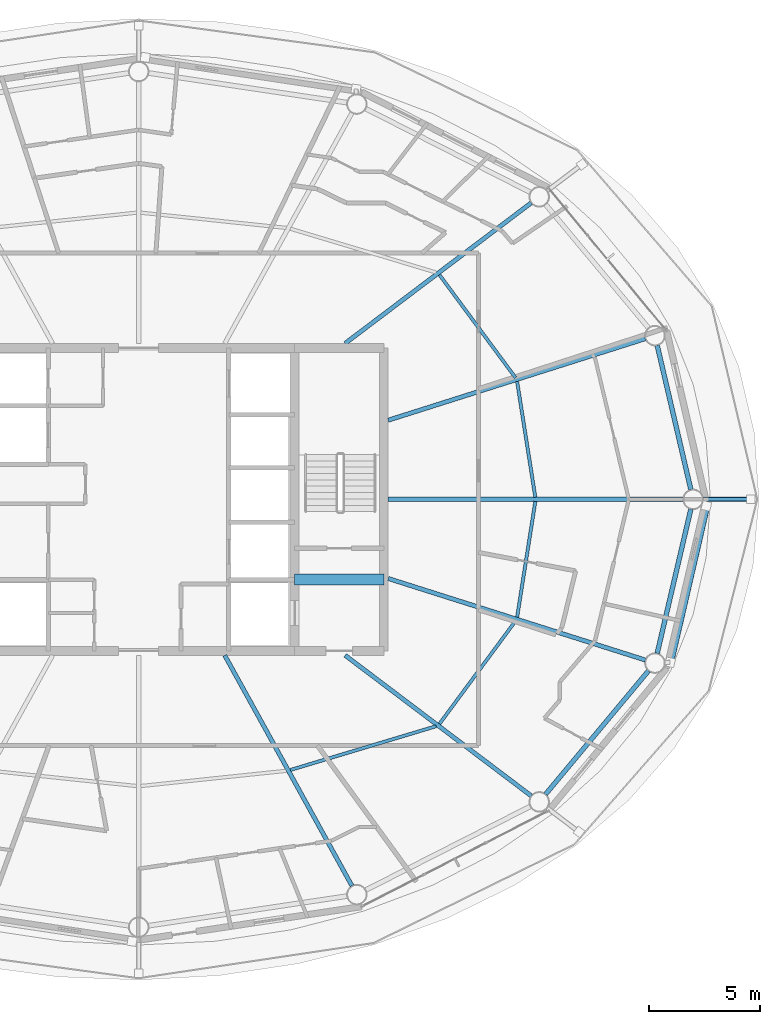
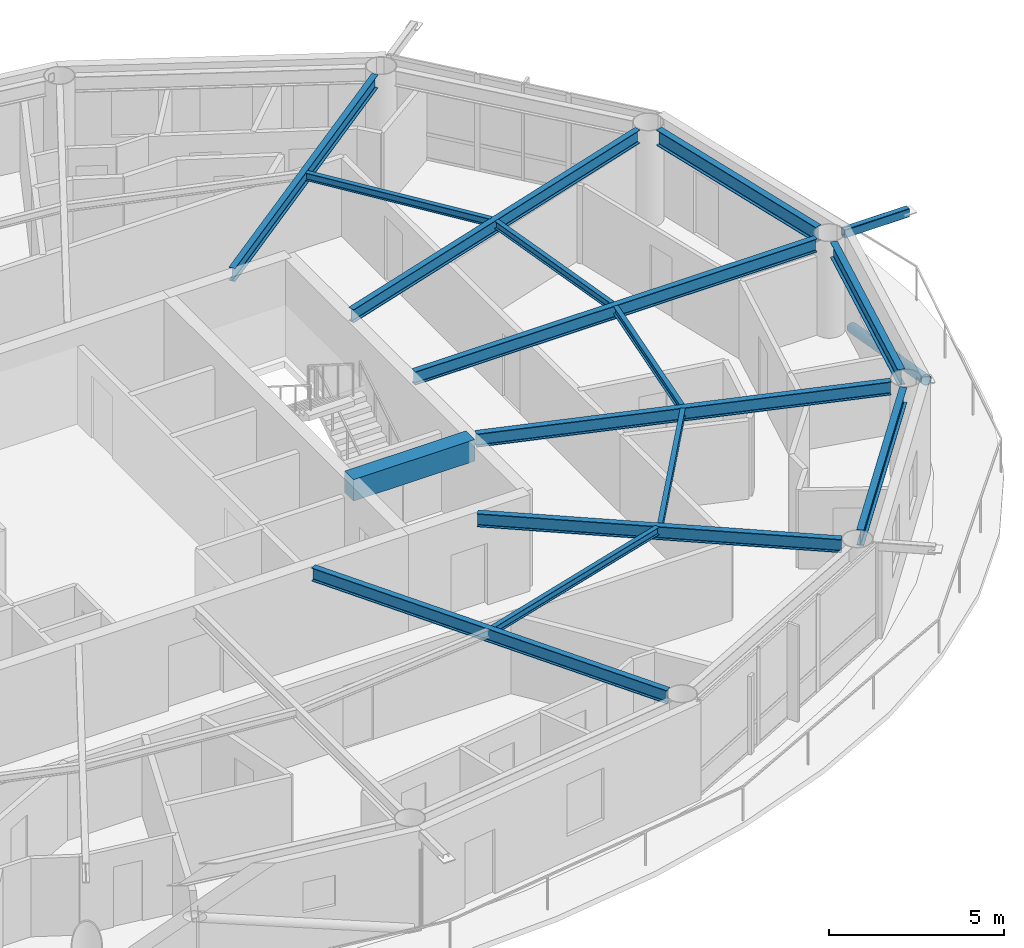
# One storey, part 6 of 23: 15 beams, 2 members.
"""IFC4 building model written with IfcOpenShell, lengths in metres."""

import ifcopenshell
import ifcopenshell.guid

model = None  # the IFC model being written
_history = None  # IfcOwnerHistory: only IFC2X3 demands one
_inside = {}  # id of a spatial element -> (the spatial element, [elements in it])
_under = {}  # id of a project, library or spatial element -> (it, [spatial elements below it])
_declared = {}  # id of a project -> (the project, [libraries it declares])
_typed = {}  # id of a type object -> (the type object, [elements of that type])
_made_of = {}  # id of a material, layer set ... -> (it, [elements and type objects made of it])


def new_model(schema):
    """Start an empty IFC model of exactly this schema.

    Asked for "IFC4X3", IfcOpenShell would pick the latest addendum, in which some entities
    have other attributes; the version numbers below select the first issue.
    IFC2X3 requires an IfcOwnerHistory on every rooted entity: one is made here for all.
    """
    global model, _history
    if schema == "IFC4X3":
        model = ifcopenshell.file(schema_version=(4, 3, 0, 0))
    else:
        model = ifcopenshell.file(schema=schema)
    _inside.clear()
    _under.clear()
    _declared.clear()
    _typed.clear()
    _made_of.clear()
    _history = None
    if model.schema == "IFC2X3":
        org = make("IfcOrganization", Name="unknown")
        user = make(
            "IfcPersonAndOrganization",
            ThePerson=make("IfcPerson", FamilyName="unknown"),
            TheOrganization=org,
        )
        app = make(
            "IfcApplication",
            ApplicationDeveloper=org,
            Version="unknown",
            ApplicationFullName="unknown",
            ApplicationIdentifier="unknown",
        )
        _history = make(
            "IfcOwnerHistory",
            OwningUser=user,
            OwningApplication=app,
            ChangeAction="ADDED",
            CreationDate=0,
        )
    return model


def make(cls, **values):
    """One entity of the class cls with the attributes given. An attribute that is None is left unset."""
    return model.create_entity(
        cls, **{name: value for name, value in values.items() if value is not None}
    )


def rooted(cls, **values):
    """An entity with a GlobalId (a new one), such as an element, a storey or a relation."""
    return make(cls, GlobalId=ifcopenshell.guid.new(), OwnerHistory=_history, **values)


def si_unit(unit_type, name, prefix=None):
    """IfcSIUnit, for example si_unit("LENGTHUNIT", "METRE", prefix="MILLI")."""
    return make("IfcSIUnit", UnitType=unit_type, Prefix=prefix, Name=name)


def assignment(units):
    """IfcUnitAssignment: the units of a project."""
    return None if units is None else make("IfcUnitAssignment", Units=units)


def point(xyz):
    """IfcCartesianPoint."""
    return None if xyz is None else make("IfcCartesianPoint", Coordinates=xyz)


def direction(xyz):
    """IfcDirection."""
    return None if xyz is None else make("IfcDirection", DirectionRatios=xyz)


def frame(location, z_axis=None, x_axis=None):
    """IfcAxis2Placement3D, a coordinate frame: its origin and axes. An axis left out is left unset."""
    return make(
        "IfcAxis2Placement3D",
        Location=point(location),
        Axis=direction(z_axis),
        RefDirection=direction(x_axis),
    )


def frame_2d(location, x_axis=None):
    """IfcAxis2Placement2D, a coordinate frame in the plane: its origin and x axis."""
    return make(
        "IfcAxis2Placement2D", Location=point(location), RefDirection=direction(x_axis)
    )


def origin():
    """The frame at (0, 0, 0) with its axes left unset."""
    return frame((0.0, 0.0, 0.0))


def origin_2d():
    """The frame at (0, 0) in the plane with its x axis left unset."""
    return frame_2d((0.0, 0.0))


def place(relative_to, where):
    """IfcLocalPlacement: puts the frame where relative to a parent placement (None: the world)."""
    return make(
        "IfcLocalPlacement", PlacementRelTo=relative_to, RelativePlacement=where
    )


def context(
    kind, dimensions, precision=None, world=None, true_north=None, identifier=None
):
    """IfcGeometricRepresentationContext, for example the 3D "Model" context."""
    return make(
        "IfcGeometricRepresentationContext",
        ContextIdentifier=identifier,
        ContextType=kind,
        CoordinateSpaceDimension=dimensions,
        Precision=precision,
        WorldCoordinateSystem=world,
        TrueNorth=true_north,
    )


def subcontext(parent, identifier, kind, view, scale=None):
    """IfcGeometricRepresentationSubContext, for example "Body" below "Model"."""
    return make(
        "IfcGeometricRepresentationSubContext",
        ContextIdentifier=identifier,
        ContextType=kind,
        ParentContext=parent,
        TargetScale=scale,
        TargetView=view,
    )


def project(units=None, contexts=None):
    """IfcProject with its units and contexts."""
    return rooted(
        "IfcProject",
        Name="project",
        RepresentationContexts=contexts,
        UnitsInContext=assignment(units),
    )


def spatial(cls, under=None, at=None, **own):
    """A site, building, storey or space (cls), placed at a placement, below another one or the project."""
    s = rooted(cls, ObjectPlacement=at, **own)
    if under is not None:
        _under.setdefault(under.id(), (under, []))[1].append(s)
    return s


def profile(cls, at=None, kind="AREA", **sizes):
    """A parametric profile (cls). Its sizes go by their IFC names, for example OverallWidth=200.0."""
    return make(cls, ProfileType=kind, Position=at, **sizes)


def rectangle(**sizes):
    """IfcRectangleProfileDef."""
    return profile("IfcRectangleProfileDef", **sizes)


def hollow_rectangle(**sizes):
    """IfcRectangleHollowProfileDef."""
    return profile("IfcRectangleHollowProfileDef", **sizes)


def hollow_circle(**sizes):
    """IfcCircleHollowProfileDef."""
    return profile("IfcCircleHollowProfileDef", **sizes)


def i_section(**sizes):
    """IfcIShapeProfileDef."""
    return profile("IfcIShapeProfileDef", **sizes)


def extrude(swept, where, along, depth):
    """IfcExtrudedAreaSolid: the profile swept, set in the frame where, extruded along a direction by depth."""
    return make(
        "IfcExtrudedAreaSolid",
        SweptArea=swept,
        Position=where,
        ExtrudedDirection=direction(along),
        Depth=depth,
    )


def shape(context_of_items, identifier, shape_type, items):
    """IfcShapeRepresentation: the items that make up one representation, for example the "Body"."""
    return make(
        "IfcShapeRepresentation",
        ContextOfItems=context_of_items,
        RepresentationIdentifier=identifier,
        RepresentationType=shape_type,
        Items=items,
    )


def material(Name=None, Category=None):
    """IfcMaterial."""
    return make("IfcMaterial", Name=Name, Category=Category)


def material_profile(
    of_material, cross_section, Name=None, Category=None, Priority=None
):
    """IfcMaterialProfile: a cross section and its material."""
    return make(
        "IfcMaterialProfile",
        Name=Name,
        Material=of_material,
        Profile=cross_section,
        Priority=Priority,
        Category=Category,
    )


def profile_set(profiles, Name=None, composite=None):
    """IfcMaterialProfileSet."""
    return make(
        "IfcMaterialProfileSet",
        Name=Name,
        MaterialProfiles=profiles,
        CompositeProfile=composite,
    )


def made_of(thing, what):
    """Note that an element or type object is made of a material, layer set ...; save() writes the relation."""
    if what is not None:
        _made_of.setdefault(what.id(), (what, []))[1].append(thing)
    return thing


def type_object(cls, material=None, **own):
    """A type object (cls), such as IfcWallType, which elements share."""
    return made_of(rooted(cls, **own), material)


def element(
    cls,
    number,
    at=None,
    inside=None,
    cuts=None,
    type_object=None,
    material=None,
    context=None,
    identifier="Body",
    shape_type=None,
    held_by="IfcProductDefinitionShape",
    body=None,
    shapes=None,
    **own,
):
    """One element of the class cls, such as IfcWall. Its Tag is "e" and its number.

    at: its placement. inside: the storey or other place that contains it. cuts: it is an
    opening in that element (IfcRelVoidsElement). A single representation is given by context,
    identifier, shape_type and body (its items); several are given by shapes. held_by: the class
    of the entity that holds the representations. save() writes the other relations.
    """
    e = rooted(cls, Tag="e%d" % number, ObjectPlacement=at, **own)
    if body is not None:
        shapes = [shape(context, identifier, shape_type, body)]
    if shapes is not None:
        e.Representation = make(held_by, Representations=shapes)
    if inside is not None:
        _inside.setdefault(inside.id(), (inside, []))[1].append(e)
    if cuts is not None:
        rooted(
            "IfcRelVoidsElement", RelatingBuildingElement=cuts, RelatedOpeningElement=e
        )
    if type_object is not None:
        _typed.setdefault(type_object.id(), (type_object, []))[1].append(e)
    return made_of(e, material)


def aggregate(whole, parts):
    """IfcRelAggregates: a whole, such as a stair, and the parts it consists of."""
    return rooted("IfcRelAggregates", RelatingObject=whole, RelatedObjects=parts)


def save(model, path):
    """Write the relations noted so far, then the file.

    IfcRelAggregates (storeys below a building ...), IfcRelContainedInSpatialStructure (elements
    in a storey), IfcRelDefinesByType, IfcRelAssociatesMaterial and IfcRelDeclares: one each for
    every whole, place, type object, material and project.
    """
    for whole, parts in _under.values():
        aggregate(whole, parts)
    for where, things in _inside.values():
        rooted(
            "IfcRelContainedInSpatialStructure",
            RelatedElements=things,
            RelatingStructure=where,
        )
    for kind, things in _typed.values():
        rooted("IfcRelDefinesByType", RelatedObjects=things, RelatingType=kind)
    for what, things in _made_of.values():
        rooted("IfcRelAssociatesMaterial", RelatedObjects=things, RelatingMaterial=what)
    for by, libraries in _declared.values():
        rooted("IfcRelDeclares", RelatingContext=by, RelatedDefinitions=libraries)
    model.write(path)


model = new_model("IFC4")

# Units and contexts
model_context = context("Model", 3, precision=1e-05, world=origin(), true_north=direction((0.0, 1.0)))
body_context = subcontext(model_context, "Body", "Model", "MODEL_VIEW")
ifc_project = project(units=[si_unit("LENGTHUNIT", "METRE"), si_unit("AREAUNIT", "SQUARE_METRE"), si_unit("VOLUMEUNIT", "CUBIC_METRE"), si_unit("PLANEANGLEUNIT", "RADIAN"), si_unit("MASSUNIT", "GRAM", prefix="KILO")], contexts=[model_context])

# Site, building, storey
site_placement = place(None, origin())
site = spatial("IfcSite", under=ifc_project, at=site_placement, CompositionType="ELEMENT")
building_placement = place(site_placement, origin())
building = spatial("IfcBuilding", under=site, at=building_placement, Name="Sarneth Arch Tower", CompositionType="ELEMENT")
storey_placement = place(building_placement, frame((0.0, 0.0, 217.199951171875)))
storey = spatial("IfcBuildingStorey", under=building, at=storey_placement, Name="L55", CompositionType="ELEMENT", Elevation=217.199951171875)

# Beams
ifc_material_1 = material(Name="Steel S355", Category="steel")
ifc_material_profile_1 = material_profile(ifc_material_1, i_section(OverallWidth=0.14794921875, OverallDepth=0.26611328125, WebThickness=0.007568359375, FlangeThickness=0.012939453125, FilletRadius=0.012939453125, at=origin_2d()), Name="W250x44.8")
ifc_profile_set_1 = profile_set([ifc_material_profile_1], Name="Steel S355")
beam_type_1 = type_object("IfcBeamType", Name="BM-JOIST-250", PredefinedType="JOIST", material=ifc_profile_set_1)
beam_1_placement = place(storey_placement, frame((65.8017578125, 42.0947265625, 3.22705078125), z_axis=(-0.155421095795, 0.987848309702, 0.0), x_axis=(-0.987848309702, -0.155421095795, 0.0)))
element("IfcBeam", 1, at=beam_1_placement, inside=storey, type_object=beam_type_1, Name="L55 Secondary floor joist 01", PredefinedType="JOIST", context=body_context, shape_type="SweptSolid", body=[
    extrude(i_section(OverallWidth=0.14794921875, OverallDepth=0.26611328125, WebThickness=0.007568359375, FlangeThickness=0.012939453125, FilletRadius=0.012939453125, at=origin_2d()), origin(), (0.0, 0.0, 1.0), 5.256103515625),
])
beam_2_placement = place(storey_placement, frame((64.912841796875, 47.458740234375, 3.22705078125), z_axis=(-0.594557229879, 0.804053294501, 0.0), x_axis=(-0.804053294501, -0.594557229879, 0.0)))
element("IfcBeam", 2, at=beam_2_placement, inside=storey, type_object=beam_type_1, Name="L55 Secondary floor joist 02", PredefinedType="JOIST", context=body_context, shape_type="SweptSolid", body=[
    extrude(i_section(OverallWidth=0.14794921875, OverallDepth=0.26611328125, WebThickness=0.007568359375, FlangeThickness=0.012939453125, FilletRadius=0.012939453125, at=origin_2d()), origin(), (0.0, 0.0, 1.0), 5.74169921875),
])
beam_3_placement = place(storey_placement, frame((54.810546875, 29.85546875, 3.22705078125), z_axis=(0.957725851155, 0.287682453461, 0.0), x_axis=(-0.287682453461, 0.957725851155, 0.0)))
element("IfcBeam", 3, at=beam_3_placement, inside=storey, type_object=beam_type_1, Name="L55 Secondary floor joist 14", PredefinedType="JOIST", context=body_context, shape_type="SweptSolid", body=[
    extrude(i_section(OverallWidth=0.14794921875, OverallDepth=0.26611328125, WebThickness=0.007568359375, FlangeThickness=0.012939453125, FilletRadius=0.012939453125, at=origin_2d()), origin(), (0.0, 0.0, 1.0), 6.828125),
])
beam_4_placement = place(storey_placement, frame((61.4990234375, 31.924560546875, 3.22705078125), z_axis=(0.594557229879, 0.804053294501, 0.0), x_axis=(-0.804053294501, 0.594557229879, 0.0)))
element("IfcBeam", 4, at=beam_4_placement, inside=storey, type_object=beam_type_1, Name="L55 Secondary floor joist 15", PredefinedType="JOIST", context=body_context, shape_type="SweptSolid", body=[
    extrude(i_section(OverallWidth=0.14794921875, OverallDepth=0.26611328125, WebThickness=0.007568359375, FlangeThickness=0.012939453125, FilletRadius=0.012939453125, at=origin_2d()), origin(), (0.0, 0.0, 1.0), 5.74169921875),
])
beam_5_placement = place(storey_placement, frame((64.98486328125, 36.713134765625, 3.22705078125), z_axis=(0.155421095795, 0.987848309702, 0.0), x_axis=(-0.987848309702, 0.155421095795, 0.0)))
element("IfcBeam", 5, at=beam_5_placement, inside=storey, type_object=beam_type_1, Name="L55 Secondary floor joist 16", PredefinedType="JOIST", context=body_context, shape_type="SweptSolid", body=[
    extrude(i_section(OverallWidth=0.14794921875, OverallDepth=0.26611328125, WebThickness=0.007568359375, FlangeThickness=0.012939453125, FilletRadius=0.012939453125, at=origin_2d()), origin(), (0.0, 0.0, 1.0), 5.256103515625),
])
ifc_material_2 = material(Name="Concrete C50/60", Category="concrete")
ifc_material_profile_2 = material_profile(ifc_material_2, rectangle(XDim=0.5, YDim=0.75, at=origin_2d()), Name="RC-500x750")
ifc_profile_set_2 = profile_set([ifc_material_profile_2], Name="Concrete C50/60")
beam_type_2 = type_object("IfcBeamType", Name="BM-LINTEL-RC", PredefinedType="LINTEL", material=ifc_profile_set_2)
beam_6_placement = place(storey_placement, frame((55.0, 38.39990234375, 2.985107421875), z_axis=(1.0, 0.0, 0.0), x_axis=(0.0, 1.0, 0.0)))
element("IfcBeam", 6, at=beam_6_placement, inside=storey, type_object=beam_type_2, Name="L55 Core coupling lintel E", PredefinedType="LINTEL", context=body_context, shape_type="SweptSolid", body=[
    extrude(rectangle(XDim=0.5, YDim=0.75, at=origin_2d()), origin(), (0.0, 0.0, 1.0), 4.0),
])
ifc_material_3 = material(Name="Steel S355", Category="steel")
ifc_material_profile_3 = material_profile(ifc_material_3, i_section(OverallWidth=0.19189453125, OverallDepth=0.462890625, WebThickness=0.010498046875, FlangeThickness=0.017578125, FilletRadius=0.01806640625, at=origin_2d()), Name="W460x89")
ifc_profile_set_3 = profile_set([ifc_material_profile_3], Name="Steel S355")
beam_type_3 = type_object("IfcBeamType", Name="BM-RAD-460B", PredefinedType="BEAM", material=ifc_profile_set_3)
beam_7_placement = place(storey_placement, frame((59.199951171875, 42.0, 3.128662109375), z_axis=(1.0, 0.0, 0.0), x_axis=(0.0, 1.0, 0.0)))
element("IfcBeam", 7, at=beam_7_placement, inside=storey, type_object=beam_type_3, Name="L55 Radial floor girder 01", PredefinedType="BEAM", context=body_context, shape_type="SweptSolid", body=[
    extrude(i_section(OverallWidth=0.19189453125, OverallDepth=0.462890625, WebThickness=0.010498046875, FlangeThickness=0.017578125, FilletRadius=0.01806640625, at=origin_2d()), origin(), (0.0, 0.0, 1.0), 13.233154296875),
])
beam_8_placement = place(storey_placement, frame((59.199951171875, 45.5517578125, 3.128662109375), z_axis=(0.953215615433, 0.302291234563, 0.0), x_axis=(-0.302291234563, 0.953215615433, 0.0)))
element("IfcBeam", 8, at=beam_8_placement, inside=storey, type_object=beam_type_3, Name="L55 Radial floor girder 02", PredefinedType="BEAM", context=body_context, shape_type="SweptSolid", body=[
    extrude(i_section(OverallWidth=0.19189453125, OverallDepth=0.462890625, WebThickness=0.010498046875, FlangeThickness=0.017578125, FilletRadius=0.01806640625, at=origin_2d()), origin(), (0.0, 0.0, 1.0), 12.1064453125),
])
beam_9_placement = place(storey_placement, frame((57.26806640625, 49.0, 3.128662109375), z_axis=(0.79797356997, 0.602692443647, 0.0), x_axis=(-0.602692443647, 0.79797356997, 0.0)))
element("IfcBeam", 9, at=beam_9_placement, inside=storey, type_object=beam_type_3, Name="L55 Radial floor girder 03", PredefinedType="BEAM", context=body_context, shape_type="SweptSolid", body=[
    extrude(i_section(OverallWidth=0.19189453125, OverallDepth=0.462890625, WebThickness=0.010498046875, FlangeThickness=0.017578125, FilletRadius=0.01806640625, at=origin_2d()), origin(), (0.0, 0.0, 1.0), 10.461669921875),
])
beam_10_placement = place(storey_placement, frame((51.86376953125, 35.0, 3.128662109375), z_axis=(0.483218265038, -0.875499919094, 0.0), x_axis=(0.875499919094, 0.483218265038, 0.0)))
element("IfcBeam", 10, at=beam_10_placement, inside=storey, type_object=beam_type_3, Name="L55 Radial floor girder 14", PredefinedType="BEAM", context=body_context, shape_type="SweptSolid", body=[
    extrude(i_section(OverallWidth=0.19189453125, OverallDepth=0.462890625, WebThickness=0.010498046875, FlangeThickness=0.017578125, FilletRadius=0.01806640625, at=origin_2d()), origin(), (0.0, 0.0, 1.0), 11.8154296875),
])
beam_11_placement = place(storey_placement, frame((57.26806640625, 35.0, 3.128662109375), z_axis=(0.79797356997, -0.602692443647, 0.0), x_axis=(0.602692443647, 0.79797356997, 0.0)))
element("IfcBeam", 11, at=beam_11_placement, inside=storey, type_object=beam_type_3, Name="L55 Radial floor girder 15", PredefinedType="BEAM", context=body_context, shape_type="SweptSolid", body=[
    extrude(i_section(OverallWidth=0.19189453125, OverallDepth=0.462890625, WebThickness=0.010498046875, FlangeThickness=0.017578125, FilletRadius=0.01806640625, at=origin_2d()), origin(), (0.0, 0.0, 1.0), 10.461669921875),
])
beam_12_placement = place(storey_placement, frame((59.199951171875, 38.4482421875, 3.128662109375), z_axis=(0.953215615433, -0.302291234563, 0.0), x_axis=(0.302291234563, 0.953215615433, 0.0)))
element("IfcBeam", 12, at=beam_12_placement, inside=storey, type_object=beam_type_3, Name="L55 Radial floor girder 16", PredefinedType="BEAM", context=body_context, shape_type="SweptSolid", body=[
    extrude(i_section(OverallWidth=0.19189453125, OverallDepth=0.462890625, WebThickness=0.010498046875, FlangeThickness=0.017578125, FilletRadius=0.01806640625, at=origin_2d()), origin(), (0.0, 0.0, 1.0), 12.1064453125),
])
ifc_material_4 = material(Name="Steel S355", Category="steel")
ifc_material_profile_4 = material_profile(ifc_material_4, i_section(OverallWidth=0.2109375, OverallDepth=0.5390625, WebThickness=0.01171875, FlangeThickness=0.018798828125, FilletRadius=0.01806640625, at=origin_2d()), Name="W530x109")
ifc_profile_set_4 = profile_set([ifc_material_profile_4], Name="Steel S355")
beam_type_4 = type_object("IfcBeamType", Name="BM-RAD-530B", PredefinedType="BEAM", material=ifc_profile_set_4)
beam_13_placement = place(storey_placement, frame((72.781005859375, 42.438232421875, 3.090576171875), z_axis=(-0.227247037844, 0.973837144389, 0.0), x_axis=(-0.973837144389, -0.227247037844, 0.0)))
element("IfcBeam", 13, at=beam_13_placement, inside=storey, type_object=beam_type_4, Name="L55 Perimeter spandrel beam 01", PredefinedType="BEAM", context=body_context, shape_type="SweptSolid", body=[
    extrude(i_section(OverallWidth=0.2109375, OverallDepth=0.5390625, WebThickness=0.01171875, FlangeThickness=0.018798828125, FilletRadius=0.01806640625, at=origin_2d()), origin(), (0.0, 0.0, 1.0), 6.644775390625),
])
beam_14_placement = place(storey_placement, frame((66.263427734375, 28.769287109375, 3.090576171875), z_axis=(0.640390876881, 0.768049168222, 0.0), x_axis=(-0.768049168222, 0.640390876881, 0.0)))
element("IfcBeam", 14, at=beam_14_placement, inside=storey, type_object=beam_type_4, Name="L55 Perimeter spandrel beam 15", PredefinedType="BEAM", context=body_context, shape_type="SweptSolid", body=[
    extrude(i_section(OverallWidth=0.2109375, OverallDepth=0.5390625, WebThickness=0.01171875, FlangeThickness=0.018798828125, FilletRadius=0.01806640625, at=origin_2d()), origin(), (0.0, 0.0, 1.0), 7.2099609375),
])
beam_15_placement = place(storey_placement, frame((71.27099609375, 35.0908203125, 3.090576171875), z_axis=(0.227247037844, 0.973837144389, 0.0), x_axis=(-0.973837144389, 0.227247037844, 0.0)))
element("IfcBeam", 15, at=beam_15_placement, inside=storey, type_object=beam_type_4, Name="L55 Perimeter spandrel beam 16", PredefinedType="BEAM", context=body_context, shape_type="SweptSolid", body=[
    extrude(i_section(OverallWidth=0.2109375, OverallDepth=0.5390625, WebThickness=0.01171875, FlangeThickness=0.018798828125, FilletRadius=0.01806640625, at=origin_2d()), origin(), (0.0, 0.0, 1.0), 6.644775390625),
])

# Members
ifc_material_5 = material(Name="Steel S355", Category="steel")
ifc_material_profile_5 = material_profile(ifc_material_5, hollow_rectangle(XDim=0.199951171875, YDim=0.300048828125, WallThickness=0.012451171875, InnerFilletRadius=0.018798828125, OuterFilletRadius=0.03125, at=origin_2d()), Name="RHS300x200x12.5")
ifc_profile_set_5 = profile_set([ifc_material_profile_5], Name="Steel S355")
member_type_1 = type_object("IfcMemberType", Name="MEM-CANT-STRUT", PredefinedType="STRUT", material=ifc_profile_set_5)
member_1_placement = place(storey_placement, frame((73.333251953125, 42.0, 3.199951171875), z_axis=(1.0, 0.0, 0.0), x_axis=(0.0, 1.0, 0.0)))
element("IfcMember", 16, at=member_1_placement, inside=storey, type_object=member_type_1, Name="L55 Balcony cantilever bracket 01", PredefinedType="STRUT", context=body_context, shape_type="SweptSolid", body=[
    extrude(hollow_rectangle(XDim=0.199951171875, YDim=0.300048828125, WallThickness=0.012451171875, InnerFilletRadius=0.018798828125, OuterFilletRadius=0.03125, at=origin_2d()), origin(), (0.0, 0.0, 1.0), 2.136474609375),
])
ifc_material_6 = material(Name="Steel S355", Category="steel")
ifc_material_profile_6 = material_profile(ifc_material_6, hollow_circle(Radius=0.162109375, WallThickness=0.012451171875, at=origin_2d()), Name="CHS324x12.5")
ifc_profile_set_6 = profile_set([ifc_material_profile_6], Name="Steel S355")
member_type_2 = type_object("IfcMemberType", Name="MEM-DIAG-BR3", PredefinedType="BRACE", material=ifc_profile_set_6)
member_2_placement = place(storey_placement, frame((73.4765625, 41.707763671875, 0.02001953125), z_axis=(-0.207917989892, -0.898749333617, 0.386030756289), x_axis=(0.974268900284, -0.225388797281, 0.0)))
element("IfcMember", 17, at=member_2_placement, inside=storey, type_object=member_type_2, Name="L55 Perimeter frame diagonal 16", PredefinedType="BRACE", context=body_context, shape_type="SweptSolid", body=[
    extrude(hollow_circle(Radius=0.162109375, WallThickness=0.012451171875, at=origin_2d()), origin(), (0.0, 0.0, 1.0), 7.814453125),
])

save(model, "model.ifc")
